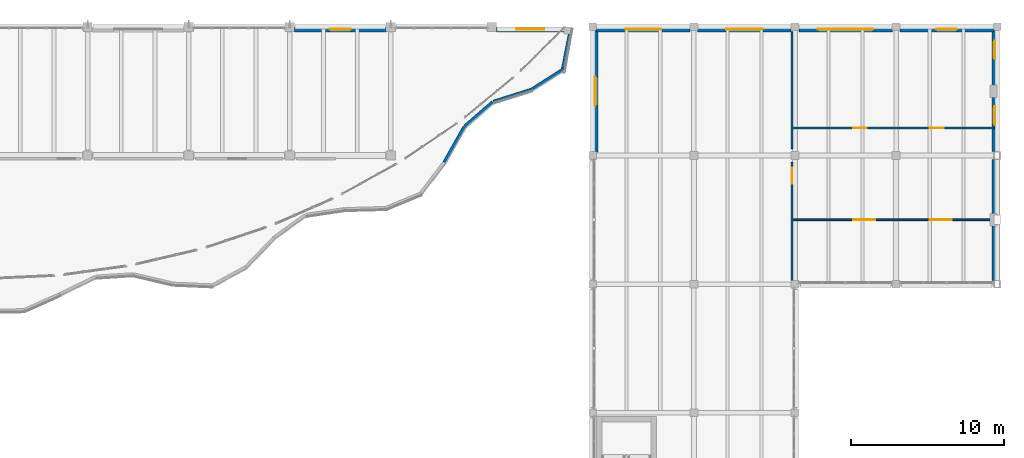
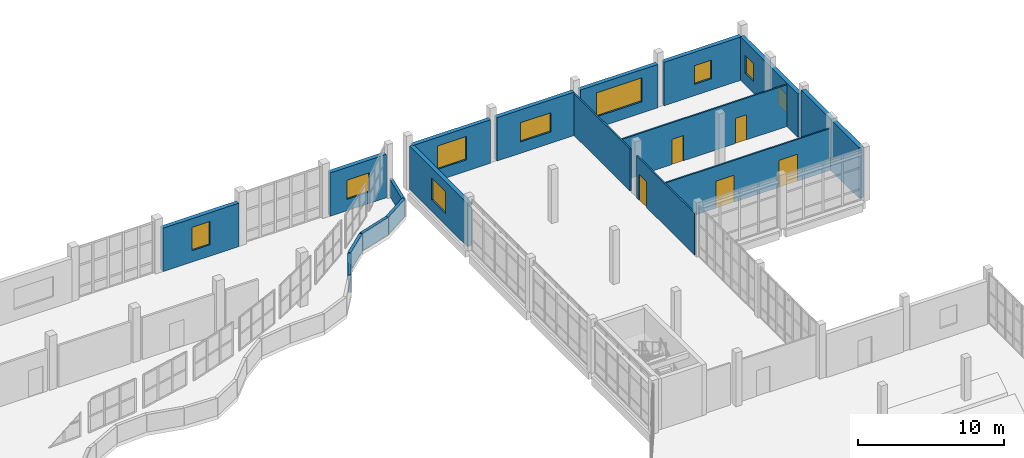
# One storey, part 54 of 76: 18 walls, 9 windows, 5 doors, 14 openings.
"""IFC4 building model written with IfcOpenShell, lengths in metres."""

import ifcopenshell
import ifcopenshell.guid

model = None  # the IFC model being written
_history = None  # IfcOwnerHistory: only IFC2X3 demands one
_inside = {}  # id of a spatial element -> (the spatial element, [elements in it])
_under = {}  # id of a project, library or spatial element -> (it, [spatial elements below it])
_declared = {}  # id of a project -> (the project, [libraries it declares])
_typed = {}  # id of a type object -> (the type object, [elements of that type])
_made_of = {}  # id of a material, layer set ... -> (it, [elements and type objects made of it])


def new_model(schema):
    """Start an empty IFC model of exactly this schema.

    Asked for "IFC4X3", IfcOpenShell would pick the latest addendum, in which some entities
    have other attributes; the version numbers below select the first issue.
    IFC2X3 requires an IfcOwnerHistory on every rooted entity: one is made here for all.
    """
    global model, _history
    if schema == "IFC4X3":
        model = ifcopenshell.file(schema_version=(4, 3, 0, 0))
    else:
        model = ifcopenshell.file(schema=schema)
    _inside.clear()
    _under.clear()
    _declared.clear()
    _typed.clear()
    _made_of.clear()
    _history = None
    if model.schema == "IFC2X3":
        org = make("IfcOrganization", Name="unknown")
        user = make(
            "IfcPersonAndOrganization",
            ThePerson=make("IfcPerson", FamilyName="unknown"),
            TheOrganization=org,
        )
        app = make(
            "IfcApplication",
            ApplicationDeveloper=org,
            Version="unknown",
            ApplicationFullName="unknown",
            ApplicationIdentifier="unknown",
        )
        _history = make(
            "IfcOwnerHistory",
            OwningUser=user,
            OwningApplication=app,
            ChangeAction="ADDED",
            CreationDate=0,
        )
    return model


def make(cls, **values):
    """One entity of the class cls with the attributes given. An attribute that is None is left unset."""
    return model.create_entity(
        cls, **{name: value for name, value in values.items() if value is not None}
    )


def rooted(cls, **values):
    """An entity with a GlobalId (a new one), such as an element, a storey or a relation."""
    return make(cls, GlobalId=ifcopenshell.guid.new(), OwnerHistory=_history, **values)


def si_unit(unit_type, name, prefix=None):
    """IfcSIUnit, for example si_unit("LENGTHUNIT", "METRE", prefix="MILLI")."""
    return make("IfcSIUnit", UnitType=unit_type, Prefix=prefix, Name=name)


def assignment(units):
    """IfcUnitAssignment: the units of a project."""
    return None if units is None else make("IfcUnitAssignment", Units=units)


def point(xyz):
    """IfcCartesianPoint."""
    return None if xyz is None else make("IfcCartesianPoint", Coordinates=xyz)


def direction(xyz):
    """IfcDirection."""
    return None if xyz is None else make("IfcDirection", DirectionRatios=xyz)


def frame(location, z_axis=None, x_axis=None):
    """IfcAxis2Placement3D, a coordinate frame: its origin and axes. An axis left out is left unset."""
    return make(
        "IfcAxis2Placement3D",
        Location=point(location),
        Axis=direction(z_axis),
        RefDirection=direction(x_axis),
    )


def frame_2d(location, x_axis=None):
    """IfcAxis2Placement2D, a coordinate frame in the plane: its origin and x axis."""
    return make(
        "IfcAxis2Placement2D", Location=point(location), RefDirection=direction(x_axis)
    )


def origin():
    """The frame at (0, 0, 0) with its axes left unset."""
    return frame((0.0, 0.0, 0.0))


def place(relative_to, where):
    """IfcLocalPlacement: puts the frame where relative to a parent placement (None: the world)."""
    return make(
        "IfcLocalPlacement", PlacementRelTo=relative_to, RelativePlacement=where
    )


def context(
    kind, dimensions, precision=None, world=None, true_north=None, identifier=None
):
    """IfcGeometricRepresentationContext, for example the 3D "Model" context."""
    return make(
        "IfcGeometricRepresentationContext",
        ContextIdentifier=identifier,
        ContextType=kind,
        CoordinateSpaceDimension=dimensions,
        Precision=precision,
        WorldCoordinateSystem=world,
        TrueNorth=true_north,
    )


def subcontext(parent, identifier, kind, view, scale=None):
    """IfcGeometricRepresentationSubContext, for example "Body" below "Model"."""
    return make(
        "IfcGeometricRepresentationSubContext",
        ContextIdentifier=identifier,
        ContextType=kind,
        ParentContext=parent,
        TargetScale=scale,
        TargetView=view,
    )


def project(units=None, contexts=None):
    """IfcProject with its units and contexts."""
    return rooted(
        "IfcProject",
        Name="project",
        RepresentationContexts=contexts,
        UnitsInContext=assignment(units),
    )


def spatial(cls, under=None, at=None, **own):
    """A site, building, storey or space (cls), placed at a placement, below another one or the project."""
    s = rooted(cls, ObjectPlacement=at, **own)
    if under is not None:
        _under.setdefault(under.id(), (under, []))[1].append(s)
    return s


def profile(cls, at=None, kind="AREA", **sizes):
    """A parametric profile (cls). Its sizes go by their IFC names, for example OverallWidth=200.0."""
    return make(cls, ProfileType=kind, Position=at, **sizes)


def rectangle(**sizes):
    """IfcRectangleProfileDef."""
    return profile("IfcRectangleProfileDef", **sizes)


def extrude(swept, where, along, depth):
    """IfcExtrudedAreaSolid: the profile swept, set in the frame where, extruded along a direction by depth."""
    return make(
        "IfcExtrudedAreaSolid",
        SweptArea=swept,
        Position=where,
        ExtrudedDirection=direction(along),
        Depth=depth,
    )


def shape(context_of_items, identifier, shape_type, items):
    """IfcShapeRepresentation: the items that make up one representation, for example the "Body"."""
    return make(
        "IfcShapeRepresentation",
        ContextOfItems=context_of_items,
        RepresentationIdentifier=identifier,
        RepresentationType=shape_type,
        Items=items,
    )


def material(Name=None, Category=None):
    """IfcMaterial."""
    return make("IfcMaterial", Name=Name, Category=Category)


def layer(
    of_material, thickness, ventilated=None, Name=None, Category=None, Priority=None
):
    """IfcMaterialLayer: one layer of a wall or slab, of a material (None: an air gap)."""
    return make(
        "IfcMaterialLayer",
        Material=of_material,
        LayerThickness=thickness,
        IsVentilated=ventilated,
        Name=Name,
        Category=Category,
        Priority=Priority,
    )


def layer_set(layers, Name=None):
    """IfcMaterialLayerSet."""
    return make("IfcMaterialLayerSet", MaterialLayers=layers, LayerSetName=Name)


def made_of(thing, what):
    """Note that an element or type object is made of a material, layer set ...; save() writes the relation."""
    if what is not None:
        _made_of.setdefault(what.id(), (what, []))[1].append(thing)
    return thing


def type_object(cls, material=None, **own):
    """A type object (cls), such as IfcWallType, which elements share."""
    return made_of(rooted(cls, **own), material)


def element(
    cls,
    number,
    at=None,
    inside=None,
    cuts=None,
    type_object=None,
    material=None,
    context=None,
    identifier="Body",
    shape_type=None,
    held_by="IfcProductDefinitionShape",
    body=None,
    shapes=None,
    **own,
):
    """One element of the class cls, such as IfcWall. Its Tag is "e" and its number.

    at: its placement. inside: the storey or other place that contains it. cuts: it is an
    opening in that element (IfcRelVoidsElement). A single representation is given by context,
    identifier, shape_type and body (its items); several are given by shapes. held_by: the class
    of the entity that holds the representations. save() writes the other relations.
    """
    e = rooted(cls, Tag="e%d" % number, ObjectPlacement=at, **own)
    if body is not None:
        shapes = [shape(context, identifier, shape_type, body)]
    if shapes is not None:
        e.Representation = make(held_by, Representations=shapes)
    if inside is not None:
        _inside.setdefault(inside.id(), (inside, []))[1].append(e)
    if cuts is not None:
        rooted(
            "IfcRelVoidsElement", RelatingBuildingElement=cuts, RelatedOpeningElement=e
        )
    if type_object is not None:
        _typed.setdefault(type_object.id(), (type_object, []))[1].append(e)
    return made_of(e, material)


def fill(opening, filler):
    """IfcRelFillsElement: the door or window that sits in an opening."""
    return rooted(
        "IfcRelFillsElement",
        RelatingOpeningElement=opening,
        RelatedBuildingElement=filler,
    )


def aggregate(whole, parts):
    """IfcRelAggregates: a whole, such as a stair, and the parts it consists of."""
    return rooted("IfcRelAggregates", RelatingObject=whole, RelatedObjects=parts)


def save(model, path):
    """Write the relations noted so far, then the file.

    IfcRelAggregates (storeys below a building ...), IfcRelContainedInSpatialStructure (elements
    in a storey), IfcRelDefinesByType, IfcRelAssociatesMaterial and IfcRelDeclares: one each for
    every whole, place, type object, material and project.
    """
    for whole, parts in _under.values():
        aggregate(whole, parts)
    for where, things in _inside.values():
        rooted(
            "IfcRelContainedInSpatialStructure",
            RelatedElements=things,
            RelatingStructure=where,
        )
    for kind, things in _typed.values():
        rooted("IfcRelDefinesByType", RelatedObjects=things, RelatingType=kind)
    for what, things in _made_of.values():
        rooted("IfcRelAssociatesMaterial", RelatedObjects=things, RelatingMaterial=what)
    for by, libraries in _declared.values():
        rooted("IfcRelDeclares", RelatingContext=by, RelatedDefinitions=libraries)
    model.write(path)


model = new_model("IFC4")

# Units and contexts
model_context = context("Model", 3, precision=1e-05, world=origin(), true_north=direction((0.0, 1.0)))
body_context = subcontext(model_context, "Body", "Model", "MODEL_VIEW")
ifc_project = project(units=[si_unit("LENGTHUNIT", "METRE"), si_unit("AREAUNIT", "SQUARE_METRE"), si_unit("VOLUMEUNIT", "CUBIC_METRE"), si_unit("PLANEANGLEUNIT", "RADIAN"), si_unit("MASSUNIT", "GRAM", prefix="KILO")], contexts=[model_context])

# Site, building, storey
site_placement = place(None, origin())
site = spatial("IfcSite", under=ifc_project, at=site_placement, CompositionType="ELEMENT")
building_placement = place(site_placement, origin())
building = spatial("IfcBuilding", under=site, at=building_placement, Name="Qaldarim Faculty of Natural and Applied Sciences", CompositionType="ELEMENT")
storey_placement = place(building_placement, frame((0.0, 0.0, 9.89990234375)))
storey = spatial("IfcBuildingStorey", under=building, at=storey_placement, Name="L02", CompositionType="ELEMENT", Elevation=9.89990234375)

# Wall, opening, door
ifc_material_1 = material(Name="Painted gypsum partition board")
ifc_layer_1 = layer(ifc_material_1, 0.1201171875)
ifc_layer_set_1 = layer_set([ifc_layer_1], Name="Painted gypsum partition board")
wall_type_1 = type_object("IfcWallType", Name="AcousticPartition-120", PredefinedType="PARTITIONING", material=ifc_layer_set_1)
wall_1_placement = place(storey_placement, frame((164.800048828125, 100.800048828125, 0.0), z_axis=(0.0, 0.0, 1.0), x_axis=(0.0, 1.0, 0.0)))
wall_1 = element("IfcWall", 1, at=wall_1_placement, inside=storey, type_object=wall_type_1, Name="Interior partition PRT-L02-V3-CARW-S1", PredefinedType="PARTITIONING", context=body_context, shape_type="SweptSolid", body=[
    extrude(rectangle(XDim=7.949951171875, YDim=0.1201171875, at=frame_2d((3.97509765625, 0.0))), origin(), (0.0, 0.0, 1.0), 3.489990234375),
])
opening_1_placement = place(wall_1_placement, frame((6.550048828125, 0.0, 0.0)))
opening_1 = element("IfcOpeningElement", 2, at=opening_1_placement, cuts=wall_1, Name="Opening ID02", PredefinedType="OPENING", context=body_context, shape_type="SweptSolid", body=[
    extrude(rectangle(XDim=1.050048828125, YDim=2.14990234375, at=frame_2d((0.52490234375, 1.074951171875))), frame((0.0, 0.070068359375, 0.0), z_axis=(0.0, -1.0, 0.0), x_axis=(1.0, 0.0, 0.0)), (0.0, 0.0, 1.0), 0.14013671875),
])
ifc_material_2 = material(Name="Oak hardwood", Category="wood")
door_type_1 = type_object("IfcDoorType", Name="AccessibleRoomDoor-1050x2150", OperationType="NOTDEFINED", PredefinedType="DOOR", material=ifc_material_2)
door_1_placement = place(opening_1_placement, origin())
door_1 = element("IfcDoor", 3, at=door_1_placement, inside=storey, type_object=door_type_1, Name="Interior door D-L02-221", OperationType="SINGLE_SWING_LEFT", OverallHeight=2.14990234375, OverallWidth=1.050048828125, PredefinedType="DOOR", context=body_context, shape_type="SweptSolid", body=[
    extrude(rectangle(XDim=1.050048828125, YDim=2.14990234375, at=frame_2d((0.52490234375, 1.074951171875))), frame((0.0, 0.02490234375, 0.0), z_axis=(0.0, -1.0, 0.0), x_axis=(1.0, 0.0, 0.0)), (0.0, 0.0, 1.0), 0.050048828125),
])
fill(opening_1, door_1)

# Wall
wall_2_placement = place(storey_placement, frame((164.800048828125, 109.64990234375, 0.0), z_axis=(0.0, 0.0, 1.0), x_axis=(0.0, 1.0, 0.0)))
element("IfcWall", 4, at=wall_2_placement, inside=storey, type_object=wall_type_1, Name="Interior partition PRT-L02-V3-CARW-S2", PredefinedType="PARTITIONING", context=body_context, shape_type="SweptSolid", body=[
    extrude(rectangle(XDim=7.630126953125, YDim=0.1201171875, at=frame_2d((3.81494140625, 0.0))), origin(), (0.0, 0.0, 1.0), 3.489990234375),
])

# Wall, openings, doors
wall_3_placement = place(storey_placement, frame((164.800048828125, 105.0, 0.0), z_axis=(0.0, 0.0, 1.0), x_axis=(1.0, 0.0, 0.0)))
wall_3 = element("IfcWall", 5, at=wall_3_placement, inside=storey, type_object=wall_type_1, Name="Interior partition PRT-L02-V3-POD-1", PredefinedType="PARTITIONING", context=body_context, shape_type="SweptSolid", body=[
    extrude(rectangle(XDim=13.199951171875, YDim=0.1201171875, at=frame_2d((6.60009765625, 0.0))), origin(), (0.0, 0.0, 1.0), 3.489990234375),
])
opening_2_placement = place(wall_3_placement, frame((4.0, 0.0, 0.0)))
opening_2 = element("IfcOpeningElement", 6, at=opening_2_placement, cuts=wall_3, Name="Opening ID11", PredefinedType="OPENING", context=body_context, shape_type="SweptSolid", body=[
    extrude(rectangle(XDim=1.449951171875, YDim=2.25, at=frame_2d((0.72509765625, 1.125))), frame((0.0, 0.070068359375, 0.0), z_axis=(0.0, -1.0, 0.0), x_axis=(1.0, 0.0, 0.0)), (0.0, 0.0, 1.0), 0.14013671875),
])
opening_3_placement = place(wall_3_placement, frame((9.0, 0.0, 0.0)))
opening_3 = element("IfcOpeningElement", 7, at=opening_3_placement, cuts=wall_3, Name="Opening ID11", PredefinedType="OPENING", context=body_context, shape_type="SweptSolid", body=[
    extrude(rectangle(XDim=1.449951171875, YDim=2.25, at=frame_2d((0.72509765625, 1.125))), frame((0.0, 0.070068359375, 0.0), z_axis=(0.0, -1.0, 0.0), x_axis=(1.0, 0.0, 0.0)), (0.0, 0.0, 1.0), 0.14013671875),
])
ifc_material_3 = material(Name="Architectural stainless steel 316", Category="steel")
door_type_2 = type_object("IfcDoorType", Name="InstrumentSuiteDoor-1450x2250", OperationType="NOTDEFINED", PredefinedType="DOOR", material=ifc_material_3)
door_2_placement = place(opening_2_placement, origin())
door_2 = element("IfcDoor", 8, at=door_2_placement, inside=storey, type_object=door_type_2, Name="Interior door D-L02-378", OperationType="SINGLE_SWING_LEFT", OverallHeight=2.25, OverallWidth=1.449951171875, PredefinedType="DOOR", context=body_context, shape_type="SweptSolid", body=[
    extrude(rectangle(XDim=1.449951171875, YDim=2.25, at=frame_2d((0.72509765625, 1.125))), frame((0.0, 0.02490234375, 0.0), z_axis=(0.0, -1.0, 0.0), x_axis=(1.0, 0.0, 0.0)), (0.0, 0.0, 1.0), 0.050048828125),
])
fill(opening_2, door_2)
door_3_placement = place(opening_3_placement, origin())
door_3 = element("IfcDoor", 9, at=door_3_placement, inside=storey, type_object=door_type_2, Name="Interior door D-L02-379", OperationType="SINGLE_SWING_RIGHT", OverallHeight=2.25, OverallWidth=1.449951171875, PredefinedType="DOOR", context=body_context, shape_type="SweptSolid", body=[
    extrude(rectangle(XDim=1.449951171875, YDim=2.25, at=frame_2d((0.72509765625, 1.125))), frame((0.0, 0.02490234375, 0.0), z_axis=(0.0, -1.0, 0.0), x_axis=(1.0, 0.0, 0.0)), (0.0, 0.0, 1.0), 0.050048828125),
])
fill(opening_3, door_3)

wall_4_placement = place(storey_placement, frame((164.800048828125, 111.0, 0.0), z_axis=(0.0, 0.0, 1.0), x_axis=(1.0, 0.0, 0.0)))
wall_4 = element("IfcWall", 10, at=wall_4_placement, inside=storey, type_object=wall_type_1, Name="Interior partition PRT-L02-V3-POD-2", PredefinedType="PARTITIONING", context=body_context, shape_type="SweptSolid", body=[
    extrude(rectangle(XDim=13.199951171875, YDim=0.1201171875, at=frame_2d((6.60009765625, 0.0))), origin(), (0.0, 0.0, 1.0), 3.489990234375),
])
opening_4_placement = place(wall_4_placement, frame((4.0, 0.0, 0.0)))
opening_4 = element("IfcOpeningElement", 11, at=opening_4_placement, cuts=wall_4, Name="Opening ID07", PredefinedType="OPENING", context=body_context, shape_type="SweptSolid", body=[
    extrude(rectangle(XDim=0.89990234375, YDim=2.10009765625, at=frame_2d((0.449951171875, 1.050048828125))), frame((0.0, 0.070068359375, 0.0), z_axis=(0.0, -1.0, 0.0), x_axis=(1.0, 0.0, 0.0)), (0.0, 0.0, 1.0), 0.14013671875),
])
opening_5_placement = place(wall_4_placement, frame((9.0, 0.0, 0.0)))
opening_5 = element("IfcOpeningElement", 12, at=opening_5_placement, cuts=wall_4, Name="Opening ID07", PredefinedType="OPENING", context=body_context, shape_type="SweptSolid", body=[
    extrude(rectangle(XDim=0.89990234375, YDim=2.10009765625, at=frame_2d((0.449951171875, 1.050048828125))), frame((0.0, 0.070068359375, 0.0), z_axis=(0.0, -1.0, 0.0), x_axis=(1.0, 0.0, 0.0)), (0.0, 0.0, 1.0), 0.14013671875),
])
door_type_3 = type_object("IfcDoorType", Name="OfficeStudyDoor-900x2100", OperationType="NOTDEFINED", PredefinedType="DOOR", material=ifc_material_2)
door_4_placement = place(opening_4_placement, origin())
door_4 = element("IfcDoor", 13, at=door_4_placement, inside=storey, type_object=door_type_3, Name="Interior door D-L02-380", OperationType="SINGLE_SWING_LEFT", OverallHeight=2.10009765625, OverallWidth=0.89990234375, PredefinedType="DOOR", context=body_context, shape_type="SweptSolid", body=[
    extrude(rectangle(XDim=0.89990234375, YDim=2.10009765625, at=frame_2d((0.449951171875, 1.050048828125))), frame((0.0, 0.02490234375, 0.0), z_axis=(0.0, -1.0, 0.0), x_axis=(1.0, 0.0, 0.0)), (0.0, 0.0, 1.0), 0.050048828125),
])
fill(opening_4, door_4)
door_5_placement = place(opening_5_placement, origin())
door_5 = element("IfcDoor", 14, at=door_5_placement, inside=storey, type_object=door_type_3, Name="Interior door D-L02-381", OperationType="SINGLE_SWING_RIGHT", OverallHeight=2.10009765625, OverallWidth=0.89990234375, PredefinedType="DOOR", context=body_context, shape_type="SweptSolid", body=[
    extrude(rectangle(XDim=0.89990234375, YDim=2.10009765625, at=frame_2d((0.449951171875, 1.050048828125))), frame((0.0, 0.02490234375, 0.0), z_axis=(0.0, -1.0, 0.0), x_axis=(1.0, 0.0, 0.0)), (0.0, 0.0, 1.0), 0.050048828125),
])
fill(opening_5, door_5)

# Wall, opening, window
ifc_material_4 = material(Name="Precast concrete C40/50", Category="concrete")
ifc_layer_2 = layer(ifc_material_4, 0.320068359375)
ifc_layer_set_2 = layer_set([ifc_layer_2], Name="Precast concrete C40/50")
wall_type_2 = type_object("IfcWallType", Name="ExteriorLimestoneWall-320", PredefinedType="SOLIDWALL", material=ifc_layer_set_2)
wall_5_placement = place(storey_placement, frame((138.304931640625, 117.43994140625, 0.0), z_axis=(0.0, 0.0, 1.0), x_axis=(-1.0, 0.0, 0.0)))
wall_5 = element("IfcWall", 15, at=wall_5_placement, inside=storey, type_object=wall_type_2, Name="Exterior wall EW01 L02 N X21Y14", PredefinedType="SOLIDWALL", context=body_context, shape_type="SweptSolid", body=[
    extrude(rectangle(XDim=6.010009765625, YDim=0.320068359375, at=frame_2d((3.0048828125, 0.0))), origin(), (0.0, 0.0, 1.0), 3.625),
])
opening_6_placement = place(wall_5_placement, frame((2.304931640625, 0.0, 0.949951171875)))
opening_6 = element("IfcOpeningElement", 16, at=opening_6_placement, cuts=wall_5, Name="Opening WN25", PredefinedType="OPENING", context=body_context, shape_type="SweptSolid", body=[
    extrude(rectangle(XDim=1.39990234375, YDim=1.949951171875, at=frame_2d((0.699951171875, 0.97509765625))), frame((0.0, 0.169921875, 0.0), z_axis=(0.0, -1.0, 0.0), x_axis=(1.0, 0.0, 0.0)), (0.0, 0.0, 1.0), 0.340087890625),
])
ifc_material_5 = material(Name="Insulated low-e double glazing", Category="glass")
window_type_1 = type_object("IfcWindowType", Name="GalleryWindow-1400x1950", PartitioningType="DOUBLE_PANEL_VERTICAL", PredefinedType="WINDOW", material=ifc_material_5)
window_1_placement = place(opening_6_placement, origin())
window_1 = element("IfcWindow", 17, at=window_1_placement, inside=storey, type_object=window_type_1, Name="Facade window WN25 L02 N X21Y14", OverallHeight=1.949951171875, OverallWidth=1.39990234375, PartitioningType="SINGLE_PANEL", PredefinedType="WINDOW", context=body_context, shape_type="SweptSolid", body=[
    extrude(rectangle(XDim=1.39990234375, YDim=1.949951171875, at=frame_2d((0.699951171875, 0.97509765625))), frame((0.0, 0.030029296875, 0.0), z_axis=(0.0, -1.0, 0.0), x_axis=(1.0, 0.0, 0.0)), (0.0, 0.0, 1.0), 0.06005859375),
])
fill(opening_6, window_1)

wall_6_placement = place(storey_placement, frame((158.155029296875, 117.43994140625, 0.0), z_axis=(0.0, 0.0, 1.0), x_axis=(-1.0, 0.0, 0.0)))
wall_6 = element("IfcWall", 18, at=wall_6_placement, inside=storey, type_object=wall_type_2, Name="Exterior wall EW01 L02 N X24Y14", PredefinedType="SOLIDWALL", context=body_context, shape_type="SweptSolid", body=[
    extrude(rectangle(XDim=6.110107421875, YDim=0.320068359375, at=frame_2d((3.05517578125, 0.0))), origin(), (0.0, 0.0, 1.0), 3.625),
])
opening_7_placement = place(wall_6_placement, frame((1.905029296875, 0.0, 0.949951171875)))
opening_7 = element("IfcOpeningElement", 19, at=opening_7_placement, cuts=wall_6, Name="Opening WN28", PredefinedType="OPENING", context=body_context, shape_type="SweptSolid", body=[
    extrude(rectangle(XDim=2.300048828125, YDim=1.949951171875, at=frame_2d((1.14990234375, 0.97509765625))), frame((0.0, 0.169921875, 0.0), z_axis=(0.0, -1.0, 0.0), x_axis=(1.0, 0.0, 0.0)), (0.0, 0.0, 1.0), 0.340087890625),
])
window_type_2 = type_object("IfcWindowType", Name="GalleryWindow-2300x1950", PartitioningType="TRIPLE_PANEL_VERTICAL", PredefinedType="WINDOW", material=ifc_material_5)
window_2_placement = place(opening_7_placement, origin())
window_2 = element("IfcWindow", 20, at=window_2_placement, inside=storey, type_object=window_type_2, Name="Facade window WN28 L02 N X24Y14", OverallHeight=1.949951171875, OverallWidth=2.300048828125, PartitioningType="SINGLE_PANEL", PredefinedType="WINDOW", context=body_context, shape_type="SweptSolid", body=[
    extrude(rectangle(XDim=2.300048828125, YDim=1.949951171875, at=frame_2d((1.14990234375, 0.97509765625))), frame((0.0, 0.030029296875, 0.0), z_axis=(0.0, -1.0, 0.0), x_axis=(1.0, 0.0, 0.0)), (0.0, 0.0, 1.0), 0.06005859375),
])
fill(opening_7, window_2)

wall_7_placement = place(storey_placement, frame((151.9599609375, 117.35498046875, 0.0), z_axis=(0.0, 0.0, 1.0), x_axis=(0.0, -1.0, 0.0)))
wall_7 = element("IfcWall", 21, at=wall_7_placement, inside=storey, type_object=wall_type_2, Name="Exterior wall EW01 L02 W X24Y14", PredefinedType="SOLIDWALL", context=body_context, shape_type="SweptSolid", body=[
    extrude(rectangle(XDim=7.909912109375, YDim=0.320068359375, at=frame_2d((3.955078125, 0.0))), origin(), (0.0, 0.0, 1.0), 3.625),
])
opening_8_placement = place(wall_7_placement, frame((3.0048828125, 0.0, 0.949951171875)))
opening_8 = element("IfcOpeningElement", 22, at=opening_8_placement, cuts=wall_7, Name="Opening WN20", PredefinedType="OPENING", context=body_context, shape_type="SweptSolid", body=[
    extrude(rectangle(XDim=1.89990234375, YDim=1.85009765625, at=frame_2d((0.949951171875, 0.925048828125))), frame((0.0, 0.169921875, 0.0), z_axis=(0.0, -1.0, 0.0), x_axis=(1.0, 0.0, 0.0)), (0.0, 0.0, 1.0), 0.340087890625),
])
window_type_3 = type_object("IfcWindowType", Name="StudyWindow-1900x1850", PartitioningType="DOUBLE_PANEL_VERTICAL", PredefinedType="WINDOW", material=ifc_material_5)
window_3_placement = place(opening_8_placement, origin())
window_3 = element("IfcWindow", 23, at=window_3_placement, inside=storey, type_object=window_type_3, Name="Facade window WN20 L02 W X24Y14", OverallHeight=1.85009765625, OverallWidth=1.89990234375, PartitioningType="SINGLE_PANEL", PredefinedType="WINDOW", context=body_context, shape_type="SweptSolid", body=[
    extrude(rectangle(XDim=1.89990234375, YDim=1.85009765625, at=frame_2d((0.949951171875, 0.925048828125))), frame((0.0, 0.030029296875, 0.0), z_axis=(0.0, -1.0, 0.0), x_axis=(1.0, 0.0, 0.0)), (0.0, 0.0, 1.0), 0.06005859375),
])
fill(opening_8, window_3)

wall_8_placement = place(storey_placement, frame((164.7548828125, 117.43994140625, 0.0), z_axis=(0.0, 0.0, 1.0), x_axis=(-1.0, 0.0, 0.0)))
wall_8 = element("IfcWall", 24, at=wall_8_placement, inside=storey, type_object=wall_type_2, Name="Exterior wall EW01 L02 N X25Y14", PredefinedType="SOLIDWALL", context=body_context, shape_type="SweptSolid", body=[
    extrude(rectangle(XDim=6.10986328125, YDim=0.320068359375, at=frame_2d((3.054931640625, 0.0))), origin(), (0.0, 0.0, 1.0), 3.625),
])
opening_9_placement = place(wall_8_placement, frame((1.85498046875, 0.0, 0.949951171875)))
opening_9 = element("IfcOpeningElement", 25, at=opening_9_placement, cuts=wall_8, Name="Opening WN03", PredefinedType="OPENING", context=body_context, shape_type="SweptSolid", body=[
    extrude(rectangle(XDim=2.39990234375, YDim=1.60009765625, at=frame_2d((1.199951171875, 0.800048828125))), frame((0.0, 0.169921875, 0.0), z_axis=(0.0, -1.0, 0.0), x_axis=(1.0, 0.0, 0.0)), (0.0, 0.0, 1.0), 0.340087890625),
])
window_type_4 = type_object("IfcWindowType", Name="Window-2400x1600", PartitioningType="TRIPLE_PANEL_VERTICAL", PredefinedType="WINDOW", material=ifc_material_5)
window_4_placement = place(opening_9_placement, origin())
window_4 = element("IfcWindow", 26, at=window_4_placement, inside=storey, type_object=window_type_4, Name="Facade window WN03 L02 N X25Y14", OverallHeight=1.60009765625, OverallWidth=2.39990234375, PartitioningType="SINGLE_PANEL", PredefinedType="WINDOW", context=body_context, shape_type="SweptSolid", body=[
    extrude(rectangle(XDim=2.39990234375, YDim=1.60009765625, at=frame_2d((1.199951171875, 0.800048828125))), frame((0.0, 0.030029296875, 0.0), z_axis=(0.0, -1.0, 0.0), x_axis=(1.0, 0.0, 0.0)), (0.0, 0.0, 1.0), 0.06005859375),
])
fill(opening_9, window_4)

wall_9_placement = place(storey_placement, frame((171.35498046875, 117.43994140625, 0.0), z_axis=(0.0, 0.0, 1.0), x_axis=(-1.0, 0.0, 0.0)))
wall_9 = element("IfcWall", 27, at=wall_9_placement, inside=storey, type_object=wall_type_2, Name="Exterior wall EW01 L02 N X26Y14", PredefinedType="SOLIDWALL", context=body_context, shape_type="SweptSolid", body=[
    extrude(rectangle(XDim=6.10986328125, YDim=0.320068359375, at=frame_2d((3.054931640625, 0.0))), origin(), (0.0, 0.0, 1.0), 3.625),
])
opening_10_placement = place(wall_9_placement, frame((1.2548828125, 0.0, 0.949951171875)))
opening_10 = element("IfcOpeningElement", 28, at=opening_10_placement, cuts=wall_9, Name="Opening WN07", PredefinedType="OPENING", context=body_context, shape_type="SweptSolid", body=[
    extrude(rectangle(XDim=3.60009765625, YDim=2.0, at=frame_2d((1.800048828125, 1.0))), frame((0.0, 0.169921875, 0.0), z_axis=(0.0, -1.0, 0.0), x_axis=(1.0, 0.0, 0.0)), (0.0, 0.0, 1.0), 0.340087890625),
])
window_type_5 = type_object("IfcWindowType", Name="Window-3600x2000", PartitioningType="TRIPLE_PANEL_VERTICAL", PredefinedType="WINDOW", material=ifc_material_5)
window_5_placement = place(opening_10_placement, origin())
window_5 = element("IfcWindow", 29, at=window_5_placement, inside=storey, type_object=window_type_5, Name="Facade window WN07 L02 N X26Y14", OverallHeight=2.0, OverallWidth=3.60009765625, PartitioningType="SINGLE_PANEL", PredefinedType="WINDOW", context=body_context, shape_type="SweptSolid", body=[
    extrude(rectangle(XDim=3.60009765625, YDim=2.0, at=frame_2d((1.800048828125, 1.0))), frame((0.0, 0.030029296875, 0.0), z_axis=(0.0, -1.0, 0.0), x_axis=(1.0, 0.0, 0.0)), (0.0, 0.0, 1.0), 0.06005859375),
])
fill(opening_10, window_5)

# Wall, openings, windows
wall_10_placement = place(storey_placement, frame((178.0400390625, 109.445068359375, 0.0), z_axis=(0.0, 0.0, 1.0), x_axis=(0.0, 1.0, 0.0)))
wall_10 = element("IfcWall", 30, at=wall_10_placement, inside=storey, type_object=wall_type_2, Name="Exterior wall EW01 L02 E X27Y14", PredefinedType="SOLIDWALL", context=body_context, shape_type="SweptSolid", body=[
    extrude(rectangle(XDim=7.909912109375, YDim=0.320068359375, at=frame_2d((3.955078125, 0.0))), origin(), (0.0, 0.0, 1.0), 3.625),
])
opening_11_placement = place(wall_10_placement, frame((1.77490234375, 0.0, 0.949951171875)))
opening_11 = element("IfcOpeningElement", 31, at=opening_11_placement, cuts=wall_10, Name="Opening WN01", PredefinedType="OPENING", context=body_context, shape_type="SweptSolid", body=[
    extrude(rectangle(XDim=1.199951171875, YDim=1.5, at=frame_2d((0.60009765625, 0.75))), frame((0.0, 0.169921875, 0.0), z_axis=(0.0, -1.0, 0.0), x_axis=(1.0, 0.0, 0.0)), (0.0, 0.0, 1.0), 0.340087890625),
])
opening_12_placement = place(wall_10_placement, frame((6.06005859375, 0.0, 0.949951171875)))
opening_12 = element("IfcOpeningElement", 32, at=opening_12_placement, cuts=wall_10, Name="Opening WN01", PredefinedType="OPENING", context=body_context, shape_type="SweptSolid", body=[
    extrude(rectangle(XDim=1.199951171875, YDim=1.5, at=frame_2d((0.60009765625, 0.75))), frame((0.0, 0.169921875, 0.0), z_axis=(0.0, -1.0, 0.0), x_axis=(1.0, 0.0, 0.0)), (0.0, 0.0, 1.0), 0.340087890625),
])
window_type_6 = type_object("IfcWindowType", Name="Window-1200x1500", PartitioningType="SINGLE_PANEL", PredefinedType="WINDOW", material=ifc_material_5)
window_6_placement = place(opening_11_placement, origin())
window_6 = element("IfcWindow", 33, at=window_6_placement, inside=storey, type_object=window_type_6, Name="Pilaster-bay flanking window L02 E X27Y14-1", OverallHeight=1.5, OverallWidth=1.199951171875, PartitioningType="SINGLE_PANEL", PredefinedType="WINDOW", context=body_context, shape_type="SweptSolid", body=[
    extrude(rectangle(XDim=1.199951171875, YDim=1.5, at=frame_2d((0.60009765625, 0.75))), frame((0.0, 0.030029296875, 0.0), z_axis=(0.0, -1.0, 0.0), x_axis=(1.0, 0.0, 0.0)), (0.0, 0.0, 1.0), 0.06005859375),
])
fill(opening_11, window_6)
window_7_placement = place(opening_12_placement, origin())
window_7 = element("IfcWindow", 34, at=window_7_placement, inside=storey, type_object=window_type_6, Name="Pilaster-bay flanking window L02 E X27Y14-2", OverallHeight=1.5, OverallWidth=1.199951171875, PartitioningType="SINGLE_PANEL", PredefinedType="WINDOW", context=body_context, shape_type="SweptSolid", body=[
    extrude(rectangle(XDim=1.199951171875, YDim=1.5, at=frame_2d((0.60009765625, 0.75))), frame((0.0, 0.030029296875, 0.0), z_axis=(0.0, -1.0, 0.0), x_axis=(1.0, 0.0, 0.0)), (0.0, 0.0, 1.0), 0.06005859375),
])
fill(opening_12, window_7)

# Wall, opening, window
wall_11_placement = place(storey_placement, frame((177.955078125, 117.43994140625, 0.0), z_axis=(0.0, 0.0, 1.0), x_axis=(-1.0, 0.0, 0.0)))
wall_11 = element("IfcWall", 35, at=wall_11_placement, inside=storey, type_object=wall_type_2, Name="Exterior wall EW01 L02 N X27Y14", PredefinedType="SOLIDWALL", context=body_context, shape_type="SweptSolid", body=[
    extrude(rectangle(XDim=6.110107421875, YDim=0.320068359375, at=frame_2d((3.05517578125, 0.0))), origin(), (0.0, 0.0, 1.0), 3.625),
])
opening_13_placement = place(wall_11_placement, frame((2.3798828125, 0.0, 0.949951171875)))
opening_13 = element("IfcOpeningElement", 36, at=opening_13_placement, cuts=wall_11, Name="Opening WN09", PredefinedType="OPENING", context=body_context, shape_type="SweptSolid", body=[
    extrude(rectangle(XDim=1.35009765625, YDim=1.550048828125, at=frame_2d((0.675048828125, 0.77490234375))), frame((0.0, 0.169921875, 0.0), z_axis=(0.0, -1.0, 0.0), x_axis=(1.0, 0.0, 0.0)), (0.0, 0.0, 1.0), 0.340087890625),
])
window_type_7 = type_object("IfcWindowType", Name="LabWindow-1350x1550", PartitioningType="SINGLE_PANEL", PredefinedType="WINDOW", material=ifc_material_5)
window_8_placement = place(opening_13_placement, origin())
window_8 = element("IfcWindow", 37, at=window_8_placement, inside=storey, type_object=window_type_7, Name="Facade window WN09 L02 N X27Y14", OverallHeight=1.550048828125, OverallWidth=1.35009765625, PartitioningType="SINGLE_PANEL", PredefinedType="WINDOW", context=body_context, shape_type="SweptSolid", body=[
    extrude(rectangle(XDim=1.35009765625, YDim=1.550048828125, at=frame_2d((0.675048828125, 0.77490234375))), frame((0.0, 0.030029296875, 0.0), z_axis=(0.0, -1.0, 0.0), x_axis=(1.0, 0.0, 0.0)), (0.0, 0.0, 1.0), 0.06005859375),
])
fill(opening_13, window_8)

wall_12_placement = place(storey_placement, frame((149.929931640625, 117.43994140625, 0.0), z_axis=(0.0, 0.0, 1.0), x_axis=(-1.0, 0.0, 0.0)))
wall_12 = element("IfcWall", 38, at=wall_12_placement, inside=storey, type_object=wall_type_2, Name="Laboratories NE corner facade wall L02", PredefinedType="SOLIDWALL", context=body_context, shape_type="SweptSolid", body=[
    extrude(rectangle(XDim=4.434814453125, YDim=0.320068359375, at=frame_2d((2.21728515625, 0.0))), origin(), (0.0, 0.0, 1.0), 3.625),
])
opening_14_placement = place(wall_12_placement, frame((1.320068359375, 0.0, 0.949951171875)))
opening_14 = element("IfcOpeningElement", 39, at=opening_14_placement, cuts=wall_12, Name="Opening WN02", PredefinedType="OPENING", context=body_context, shape_type="SweptSolid", body=[
    extrude(rectangle(XDim=1.800048828125, YDim=1.60009765625, at=frame_2d((0.89990234375, 0.800048828125))), frame((0.0, 0.169921875, 0.0), z_axis=(0.0, -1.0, 0.0), x_axis=(1.0, 0.0, 0.0)), (0.0, 0.0, 1.0), 0.340087890625),
])
window_type_8 = type_object("IfcWindowType", Name="Window-1800x1600", PartitioningType="DOUBLE_PANEL_VERTICAL", PredefinedType="WINDOW", material=ifc_material_5)
window_9_placement = place(opening_14_placement, origin())
window_9 = element("IfcWindow", 40, at=window_9_placement, inside=storey, type_object=window_type_8, Name="Laboratories NE corner window L02", OverallHeight=1.60009765625, OverallWidth=1.800048828125, PartitioningType="SINGLE_PANEL", PredefinedType="WINDOW", context=body_context, shape_type="SweptSolid", body=[
    extrude(rectangle(XDim=1.800048828125, YDim=1.60009765625, at=frame_2d((0.89990234375, 0.800048828125))), frame((0.0, 0.030029296875, 0.0), z_axis=(0.0, -1.0, 0.0), x_axis=(1.0, 0.0, 0.0)), (0.0, 0.0, 1.0), 0.06005859375),
])
fill(opening_14, window_9)

# Walls
ifc_material_6 = material(Name="Concrete C50/60", Category="concrete")
ifc_layer_3 = layer(ifc_material_6, 0.340087890625)
ifc_layer_set_3 = layer_set([ifc_layer_3], Name="Concrete C50/60")
wall_type_3 = type_object("IfcWallType", Name="ExteriorStairShearWall-340", PredefinedType="SHEAR", material=ifc_layer_set_3)
wall_13_placement = place(storey_placement, frame((178.030029296875, 101.044921875, 0.0), z_axis=(0.0, 0.0, 1.0), x_axis=(0.0, 1.0, 0.0)))
element("IfcWall", 41, at=wall_13_placement, inside=storey, type_object=wall_type_3, Name="Exterior wall EW05 L02 E X27Y13", PredefinedType="SHEAR", context=body_context, shape_type="SweptSolid", body=[
    extrude(rectangle(XDim=7.91015625, YDim=0.340087890625, at=frame_2d((3.955078125, 0.0))), origin(), (0.0, 0.0, 1.0), 4.239990234375),
])
ifc_material_7 = material(Name="White architectural precast concrete C40/50", Category="concrete")
ifc_layer_4 = layer(ifc_material_7, 0.219970703125)
ifc_layer_set_4 = layer_set([ifc_layer_4], Name="White architectural precast concrete C40/50")
wall_type_4 = type_object("IfcWallType", Name="WhitePrecastWaveBand-220", PredefinedType="SOLIDWALL", material=ifc_layer_set_4)
wall_14_placement = place(storey_placement, frame((142.10009765625, 108.75, 0.0), z_axis=(0.0, 0.0, 1.0), x_axis=(0.491473824436, 0.870892346903, 0.0)))
element("IfcWall", 42, at=wall_14_placement, inside=storey, type_object=wall_type_4, Name="White precast wave spandrel band L02 chord 67", PredefinedType="SOLIDWALL", context=body_context, shape_type="SweptSolid", body=[
    extrude(rectangle(XDim=2.675537109375, YDim=0.219970703125, at=frame_2d((1.337890625, 0.0))), origin(), (0.0, 0.0, 1.0), 1.4501953125),
])
wall_15_placement = place(storey_placement, frame((143.445068359375, 111.114990234375, 0.0), z_axis=(0.0, 0.0, 1.0), x_axis=(0.756282902718, 0.654244733304, 0.0)))
element("IfcWall", 43, at=wall_15_placement, inside=storey, type_object=wall_type_4, Name="White precast wave spandrel band L02 chord 68", PredefinedType="SOLIDWALL", context=body_context, shape_type="SweptSolid", body=[
    extrude(rectangle(XDim=2.39990234375, YDim=0.219970703125, at=frame_2d((1.199951171875, 0.0))), origin(), (0.0, 0.0, 1.0), 1.4501953125),
])
wall_16_placement = place(storey_placement, frame((145.31005859375, 112.715087890625, 0.0), z_axis=(0.0, 0.0, 1.0), x_axis=(0.953332884241, 0.301921201351, 0.0)))
element("IfcWall", 44, at=wall_16_placement, inside=storey, type_object=wall_type_4, Name="White precast wave spandrel band L02 chord 69", PredefinedType="SOLIDWALL", context=body_context, shape_type="SweptSolid", body=[
    extrude(rectangle(XDim=2.6328125, YDim=0.219970703125, at=frame_2d((1.31640625, 0.0))), origin(), (0.0, 0.0, 1.0), 1.4501953125),
])
wall_17_placement = place(storey_placement, frame((147.784912109375, 113.4951171875, 0.0), z_axis=(0.0, 0.0, 1.0), x_axis=(0.842674087903, 0.538423979385, 0.0)))
element("IfcWall", 45, at=wall_17_placement, inside=storey, type_object=wall_type_4, Name="White precast wave spandrel band L02 chord 70", PredefinedType="SOLIDWALL", context=body_context, shape_type="SweptSolid", body=[
    extrude(rectangle(XDim=2.498046875, YDim=0.219970703125, at=frame_2d((1.2490234375, 0.0))), origin(), (0.0, 0.0, 1.0), 1.4501953125),
])
wall_18_placement = place(storey_placement, frame((149.824951171875, 114.7451171875, 0.0), z_axis=(0.0, 0.0, 1.0), x_axis=(0.192134851616, 0.981368533628, 0.0)))
element("IfcWall", 46, at=wall_18_placement, inside=storey, type_object=wall_type_4, Name="White precast wave spandrel band L02 chord 71", PredefinedType="SOLIDWALL", context=body_context, shape_type="SweptSolid", body=[
    extrude(rectangle(XDim=2.654541015625, YDim=0.219970703125, at=frame_2d((1.3271484375, 0.0))), origin(), (0.0, 0.0, 1.0), 1.4501953125),
])

save(model, "model.ifc")
